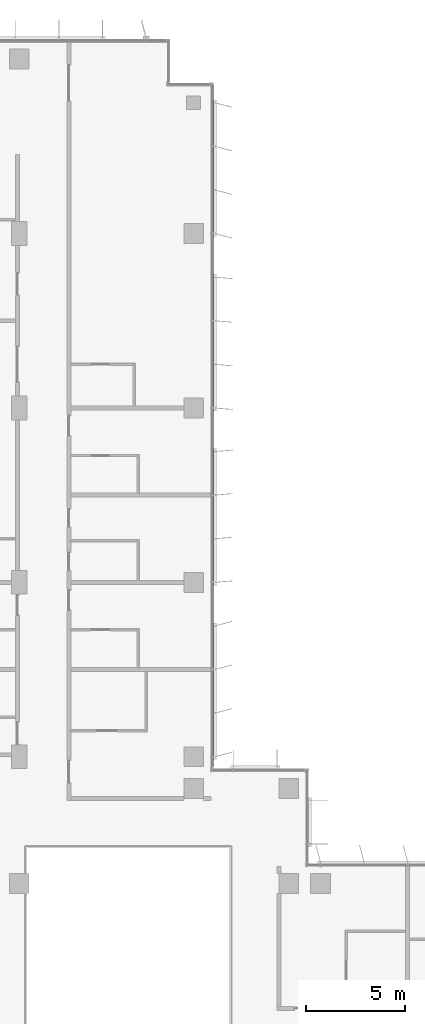
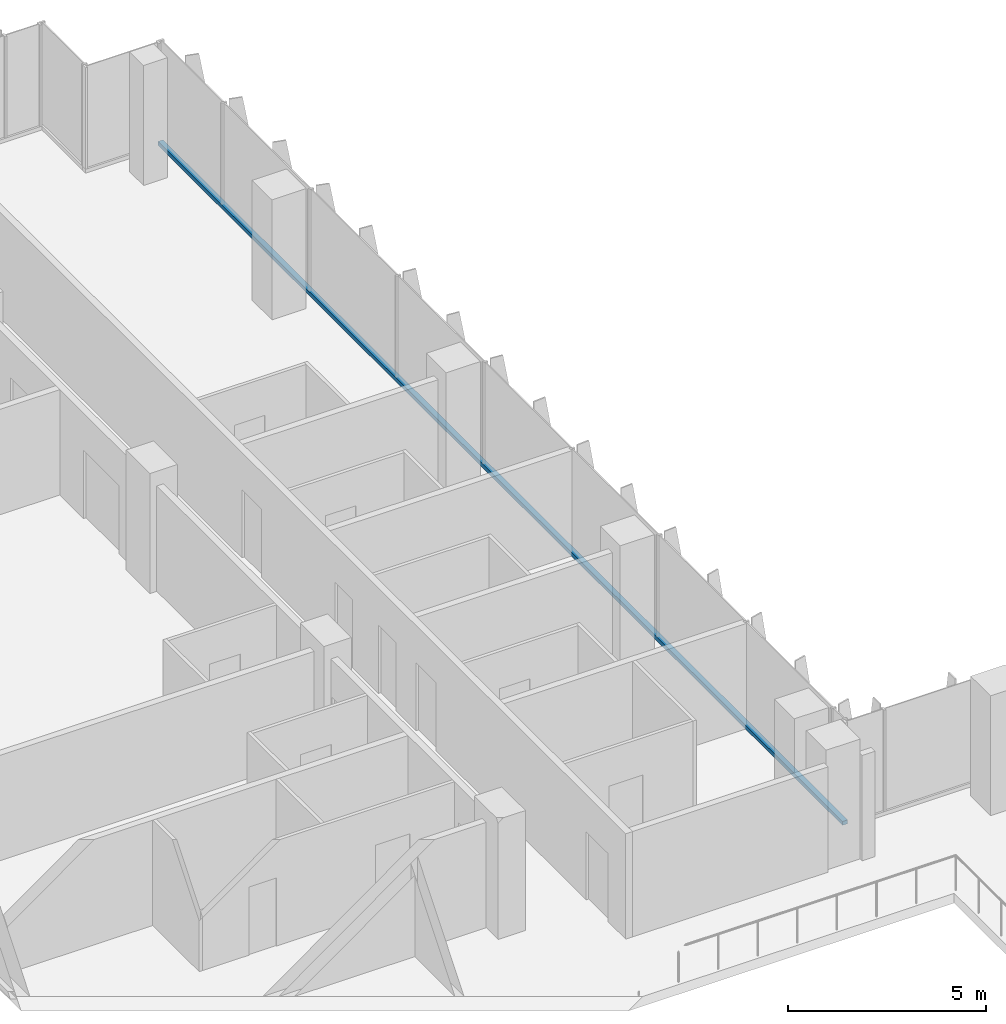
# One storey, part 6 of 21: 1 member, 1 element without a shape of its own.
"""IFC4 building model written with IfcOpenShell, lengths in metres."""

from ifc_helpers import new_model, si_unit, direction, frame, origin, origin_2d, place, context, subcontext, project, spatial, rectangle, extrude, material, material_profile, profile_set, type_object, element, aggregate, save


model = new_model("IFC4")

# Units and contexts
model_context = context("Model", 3, precision=1e-05, world=origin(), true_north=direction((0.0, 1.0)))
body_context = subcontext(model_context, "Body", "Model", "MODEL_VIEW")
ifc_project = project(units=[si_unit("LENGTHUNIT", "METRE"), si_unit("AREAUNIT", "SQUARE_METRE"), si_unit("VOLUMEUNIT", "CUBIC_METRE"), si_unit("PLANEANGLEUNIT", "RADIAN"), si_unit("MASSUNIT", "GRAM", prefix="KILO")], contexts=[model_context])

# Site, building, storey
site_placement = place(None, origin())
site = spatial("IfcSite", under=ifc_project, at=site_placement, CompositionType="ELEMENT")
building_placement = place(site_placement, origin())
building = spatial("IfcBuilding", under=site, at=building_placement, Name="Kemantara Hotel Tower", CompositionType="ELEMENT")
storey_placement = place(building_placement, frame((0.0, 0.0, 198.800048828125)))
storey = spatial("IfcBuildingStorey", under=building, at=storey_placement, Name="L49", CompositionType="ELEMENT", Elevation=198.800048828125)

# Curtain wall, member
ifc_material_1 = material(Name="Low-E tinted double insulated glass 36 mm", Category="glass")
curtain_wall_type = type_object("IfcCurtainWallType", Name="TOWER CURTAIN WALL, FRONT FACES", PredefinedType="USERDEFINED", material=ifc_material_1)
curtain_wall_placement = place(storey_placement, origin())
curtain_wall = element("IfcCurtainWall", 1, at=curtain_wall_placement, inside=storey, type_object=curtain_wall_type, Name="CW4 L49 T3-R17-1", ObjectType="TOWER CURTAIN WALL, FRONT FACES", PredefinedType="USERDEFINED")
ifc_material_2 = material(Name="Aluminium 6063-T6 bronze anodised", Category="aluminium")
ifc_material_profile = material_profile(ifc_material_2, rectangle(XDim=0.14990234375, YDim=0.1201171875, at=origin_2d()), Name="TOWER CURTAIN WALL, FRONT FACES TRANSOM")
ifc_profile_set = profile_set([ifc_material_profile], Name="Aluminium 6063-T6 bronze anodised")
member_type = type_object("IfcMemberType", Name="TOWER CURTAIN WALL, FRONT FACES TRANSOM", PredefinedType="USERDEFINED", material=ifc_profile_set)
member_placement = place(storey_placement, frame((21.925048828125, 26.800048828125, 0.06005859375), z_axis=(0.0, 1.0, 0.0), x_axis=(-1.0, 0.0, 0.0)))
member = element("IfcMember", 2, at=member_placement, type_object=member_type, Name="CW4 sill transom T3-R17-1", ObjectType="TRANSOM", PredefinedType="USERDEFINED", context=body_context, shape_type="SweptSolid", body=[
    extrude(rectangle(XDim=0.14990234375, YDim=0.1201171875, at=origin_2d()), origin(), (0.0, 0.0, 1.0), 34.599853515625),
])
aggregate(curtain_wall, [member])

save(model, "model.ifc")
